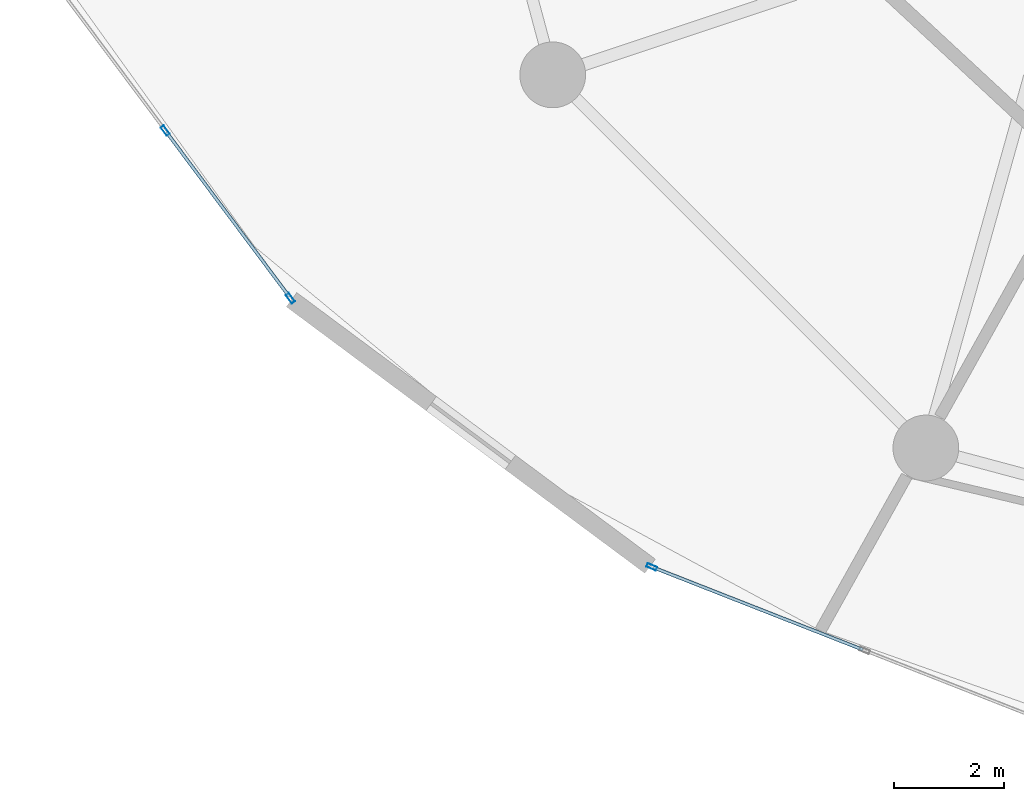
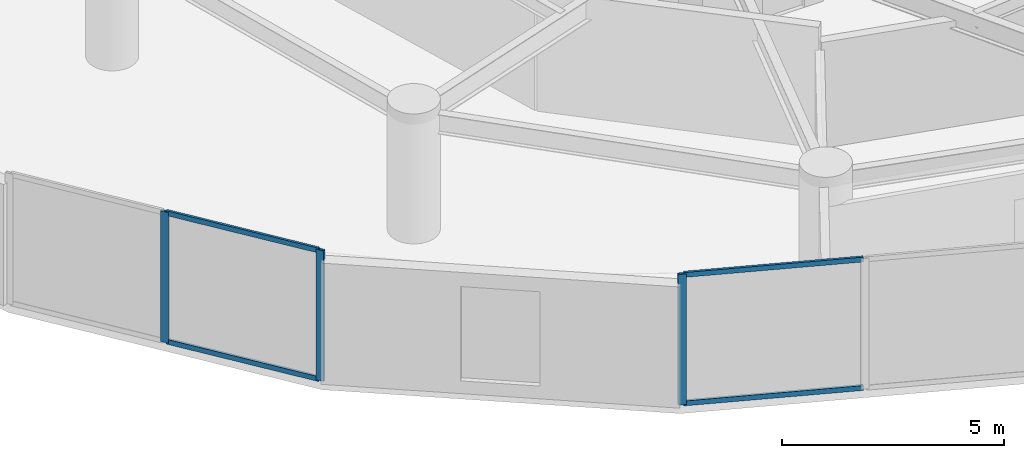
# One storey, part 2 of 25: 7 members, 2 elements without a shape of their own.
"""IFC4 building model written with IfcOpenShell, lengths in metres."""

import ifcopenshell
import ifcopenshell.guid

model = None  # the IFC model being written
_history = None  # IfcOwnerHistory: only IFC2X3 demands one
_inside = {}  # id of a spatial element -> (the spatial element, [elements in it])
_under = {}  # id of a project, library or spatial element -> (it, [spatial elements below it])
_declared = {}  # id of a project -> (the project, [libraries it declares])
_typed = {}  # id of a type object -> (the type object, [elements of that type])
_made_of = {}  # id of a material, layer set ... -> (it, [elements and type objects made of it])


def new_model(schema):
    """Start an empty IFC model of exactly this schema.

    Asked for "IFC4X3", IfcOpenShell would pick the latest addendum, in which some entities
    have other attributes; the version numbers below select the first issue.
    IFC2X3 requires an IfcOwnerHistory on every rooted entity: one is made here for all.
    """
    global model, _history
    if schema == "IFC4X3":
        model = ifcopenshell.file(schema_version=(4, 3, 0, 0))
    else:
        model = ifcopenshell.file(schema=schema)
    _inside.clear()
    _under.clear()
    _declared.clear()
    _typed.clear()
    _made_of.clear()
    _history = None
    if model.schema == "IFC2X3":
        org = make("IfcOrganization", Name="unknown")
        user = make(
            "IfcPersonAndOrganization",
            ThePerson=make("IfcPerson", FamilyName="unknown"),
            TheOrganization=org,
        )
        app = make(
            "IfcApplication",
            ApplicationDeveloper=org,
            Version="unknown",
            ApplicationFullName="unknown",
            ApplicationIdentifier="unknown",
        )
        _history = make(
            "IfcOwnerHistory",
            OwningUser=user,
            OwningApplication=app,
            ChangeAction="ADDED",
            CreationDate=0,
        )
    return model


def make(cls, **values):
    """One entity of the class cls with the attributes given. An attribute that is None is left unset."""
    return model.create_entity(
        cls, **{name: value for name, value in values.items() if value is not None}
    )


def rooted(cls, **values):
    """An entity with a GlobalId (a new one), such as an element, a storey or a relation."""
    return make(cls, GlobalId=ifcopenshell.guid.new(), OwnerHistory=_history, **values)


def si_unit(unit_type, name, prefix=None):
    """IfcSIUnit, for example si_unit("LENGTHUNIT", "METRE", prefix="MILLI")."""
    return make("IfcSIUnit", UnitType=unit_type, Prefix=prefix, Name=name)


def assignment(units):
    """IfcUnitAssignment: the units of a project."""
    return None if units is None else make("IfcUnitAssignment", Units=units)


def point(xyz):
    """IfcCartesianPoint."""
    return None if xyz is None else make("IfcCartesianPoint", Coordinates=xyz)


def direction(xyz):
    """IfcDirection."""
    return None if xyz is None else make("IfcDirection", DirectionRatios=xyz)


def frame(location, z_axis=None, x_axis=None):
    """IfcAxis2Placement3D, a coordinate frame: its origin and axes. An axis left out is left unset."""
    return make(
        "IfcAxis2Placement3D",
        Location=point(location),
        Axis=direction(z_axis),
        RefDirection=direction(x_axis),
    )


def frame_2d(location, x_axis=None):
    """IfcAxis2Placement2D, a coordinate frame in the plane: its origin and x axis."""
    return make(
        "IfcAxis2Placement2D", Location=point(location), RefDirection=direction(x_axis)
    )


def origin():
    """The frame at (0, 0, 0) with its axes left unset."""
    return frame((0.0, 0.0, 0.0))


def origin_2d():
    """The frame at (0, 0) in the plane with its x axis left unset."""
    return frame_2d((0.0, 0.0))


def place(relative_to, where):
    """IfcLocalPlacement: puts the frame where relative to a parent placement (None: the world)."""
    return make(
        "IfcLocalPlacement", PlacementRelTo=relative_to, RelativePlacement=where
    )


def context(
    kind, dimensions, precision=None, world=None, true_north=None, identifier=None
):
    """IfcGeometricRepresentationContext, for example the 3D "Model" context."""
    return make(
        "IfcGeometricRepresentationContext",
        ContextIdentifier=identifier,
        ContextType=kind,
        CoordinateSpaceDimension=dimensions,
        Precision=precision,
        WorldCoordinateSystem=world,
        TrueNorth=true_north,
    )


def subcontext(parent, identifier, kind, view, scale=None):
    """IfcGeometricRepresentationSubContext, for example "Body" below "Model"."""
    return make(
        "IfcGeometricRepresentationSubContext",
        ContextIdentifier=identifier,
        ContextType=kind,
        ParentContext=parent,
        TargetScale=scale,
        TargetView=view,
    )


def project(units=None, contexts=None):
    """IfcProject with its units and contexts."""
    return rooted(
        "IfcProject",
        Name="project",
        RepresentationContexts=contexts,
        UnitsInContext=assignment(units),
    )


def spatial(cls, under=None, at=None, **own):
    """A site, building, storey or space (cls), placed at a placement, below another one or the project."""
    s = rooted(cls, ObjectPlacement=at, **own)
    if under is not None:
        _under.setdefault(under.id(), (under, []))[1].append(s)
    return s


def profile(cls, at=None, kind="AREA", **sizes):
    """A parametric profile (cls). Its sizes go by their IFC names, for example OverallWidth=200.0."""
    return make(cls, ProfileType=kind, Position=at, **sizes)


def hollow_rectangle(**sizes):
    """IfcRectangleHollowProfileDef."""
    return profile("IfcRectangleHollowProfileDef", **sizes)


def extrude(swept, where, along, depth):
    """IfcExtrudedAreaSolid: the profile swept, set in the frame where, extruded along a direction by depth."""
    return make(
        "IfcExtrudedAreaSolid",
        SweptArea=swept,
        Position=where,
        ExtrudedDirection=direction(along),
        Depth=depth,
    )


def shape(context_of_items, identifier, shape_type, items):
    """IfcShapeRepresentation: the items that make up one representation, for example the "Body"."""
    return make(
        "IfcShapeRepresentation",
        ContextOfItems=context_of_items,
        RepresentationIdentifier=identifier,
        RepresentationType=shape_type,
        Items=items,
    )


def source(mapping_origin, context_of_items, identifier, shape_type, items):
    """IfcRepresentationMap: a shape defined once, which mapped items show again and again."""
    return make(
        "IfcRepresentationMap",
        MappingOrigin=mapping_origin,
        MappedRepresentation=shape(context_of_items, identifier, shape_type, items),
    )


def transform(
    local_origin,
    x_axis=None,
    y_axis=None,
    z_axis=None,
    scale=None,
    scale2=None,
    scale3=None,
    uniform=True,
):
    """IfcCartesianTransformationOperator3D, or its non-uniform kind. x_axis, y_axis, z_axis: its Axis1, 2, 3."""
    if uniform:
        return make(
            "IfcCartesianTransformationOperator3D",
            Axis1=direction(x_axis),
            Axis2=direction(y_axis),
            LocalOrigin=point(local_origin),
            Scale=scale,
            Axis3=direction(z_axis),
        )
    return make(
        "IfcCartesianTransformationOperator3DnonUniform",
        Axis1=direction(x_axis),
        Axis2=direction(y_axis),
        LocalOrigin=point(local_origin),
        Scale=scale,
        Axis3=direction(z_axis),
        Scale2=scale2,
        Scale3=scale3,
    )


def mapped(mapping_source, mapping_target):
    """IfcMappedItem: shows the shape of a source again, moved by a transform."""
    return make(
        "IfcMappedItem", MappingSource=mapping_source, MappingTarget=mapping_target
    )


def material(Name=None, Category=None):
    """IfcMaterial."""
    return make("IfcMaterial", Name=Name, Category=Category)


def layer(
    of_material, thickness, ventilated=None, Name=None, Category=None, Priority=None
):
    """IfcMaterialLayer: one layer of a wall or slab, of a material (None: an air gap)."""
    return make(
        "IfcMaterialLayer",
        Material=of_material,
        LayerThickness=thickness,
        IsVentilated=ventilated,
        Name=Name,
        Category=Category,
        Priority=Priority,
    )


def layer_set(layers, Name=None):
    """IfcMaterialLayerSet."""
    return make("IfcMaterialLayerSet", MaterialLayers=layers, LayerSetName=Name)


def material_profile(
    of_material, cross_section, Name=None, Category=None, Priority=None
):
    """IfcMaterialProfile: a cross section and its material."""
    return make(
        "IfcMaterialProfile",
        Name=Name,
        Material=of_material,
        Profile=cross_section,
        Priority=Priority,
        Category=Category,
    )


def profile_set(profiles, Name=None, composite=None):
    """IfcMaterialProfileSet."""
    return make(
        "IfcMaterialProfileSet",
        Name=Name,
        MaterialProfiles=profiles,
        CompositeProfile=composite,
    )


def made_of(thing, what):
    """Note that an element or type object is made of a material, layer set ...; save() writes the relation."""
    if what is not None:
        _made_of.setdefault(what.id(), (what, []))[1].append(thing)
    return thing


def type_object(cls, material=None, **own):
    """A type object (cls), such as IfcWallType, which elements share."""
    return made_of(rooted(cls, **own), material)


def element(
    cls,
    number,
    at=None,
    inside=None,
    cuts=None,
    type_object=None,
    material=None,
    context=None,
    identifier="Body",
    shape_type=None,
    held_by="IfcProductDefinitionShape",
    body=None,
    shapes=None,
    **own,
):
    """One element of the class cls, such as IfcWall. Its Tag is "e" and its number.

    at: its placement. inside: the storey or other place that contains it. cuts: it is an
    opening in that element (IfcRelVoidsElement). A single representation is given by context,
    identifier, shape_type and body (its items); several are given by shapes. held_by: the class
    of the entity that holds the representations. save() writes the other relations.
    """
    e = rooted(cls, Tag="e%d" % number, ObjectPlacement=at, **own)
    if body is not None:
        shapes = [shape(context, identifier, shape_type, body)]
    if shapes is not None:
        e.Representation = make(held_by, Representations=shapes)
    if inside is not None:
        _inside.setdefault(inside.id(), (inside, []))[1].append(e)
    if cuts is not None:
        rooted(
            "IfcRelVoidsElement", RelatingBuildingElement=cuts, RelatedOpeningElement=e
        )
    if type_object is not None:
        _typed.setdefault(type_object.id(), (type_object, []))[1].append(e)
    return made_of(e, material)


def aggregate(whole, parts):
    """IfcRelAggregates: a whole, such as a stair, and the parts it consists of."""
    return rooted("IfcRelAggregates", RelatingObject=whole, RelatedObjects=parts)


def save(model, path):
    """Write the relations noted so far, then the file.

    IfcRelAggregates (storeys below a building ...), IfcRelContainedInSpatialStructure (elements
    in a storey), IfcRelDefinesByType, IfcRelAssociatesMaterial and IfcRelDeclares: one each for
    every whole, place, type object, material and project.
    """
    for whole, parts in _under.values():
        aggregate(whole, parts)
    for where, things in _inside.values():
        rooted(
            "IfcRelContainedInSpatialStructure",
            RelatedElements=things,
            RelatingStructure=where,
        )
    for kind, things in _typed.values():
        rooted("IfcRelDefinesByType", RelatedObjects=things, RelatingType=kind)
    for what, things in _made_of.values():
        rooted("IfcRelAssociatesMaterial", RelatedObjects=things, RelatingMaterial=what)
    for by, libraries in _declared.values():
        rooted("IfcRelDeclares", RelatingContext=by, RelatedDefinitions=libraries)
    model.write(path)


model = new_model("IFC4")

# Units and contexts
model_context = context("Model", 3, precision=1e-05, world=origin(), true_north=direction((0.0, 1.0)))
body_context = subcontext(model_context, "Body", "Model", "MODEL_VIEW")
ifc_project = project(units=[si_unit("LENGTHUNIT", "METRE"), si_unit("AREAUNIT", "SQUARE_METRE"), si_unit("VOLUMEUNIT", "CUBIC_METRE"), si_unit("PLANEANGLEUNIT", "RADIAN"), si_unit("MASSUNIT", "GRAM", prefix="KILO")], contexts=[model_context])

# Site, building, storey
site_placement = place(None, origin())
site = spatial("IfcSite", under=ifc_project, at=site_placement, CompositionType="ELEMENT")
building_placement = place(site_placement, origin())
building = spatial("IfcBuilding", under=site, at=building_placement, Name="Solvirekh Grand Hotel", CompositionType="ELEMENT")
storey_placement = place(building_placement, frame((0.0, 0.0, 57.199951171875)))
storey = spatial("IfcBuildingStorey", under=building, at=storey_placement, Name="L13", CompositionType="ELEMENT", Elevation=57.199951171875)

# Curtain wall, members
ifc_material = material(Name="Anodized Bronze Aluminium 6063-T6", Category="aluminium")
ifc_layer = layer(ifc_material, 0.18994140625)
ifc_layer_set = layer_set([ifc_layer], Name="Anodized Bronze Aluminium 6063-T6")
curtain_wall_type = type_object("IfcCurtainWallType", Name="CW_Sys2_LowZoneFlushBronzeCW", PredefinedType="NOTDEFINED", material=ifc_layer_set)
curtain_wall_1_placement = place(storey_placement, origin())
curtain_wall_1 = element("IfcCurtainWall", 1, at=curtain_wall_1_placement, inside=storey, type_object=curtain_wall_type, Name="L13 unitised bronze-glass curtain wall CW-L13-C13", PredefinedType="NOTDEFINED")
ifc_material_profile_1 = material_profile(ifc_material, hollow_rectangle(XDim=0.070068359375, YDim=0.18994140625, WallThickness=0.0048828125, at=origin_2d()), Name="ALU RHS 190X70X5")
ifc_profile_set_1 = profile_set([ifc_material_profile_1], Name="Anodized Bronze Aluminium 6063-T6")
member_type_1 = type_object("IfcMemberType", Name="CWMullion_Sys2", PredefinedType="MULLION", material=ifc_profile_set_1)
shared_shape_1 = source(origin(), body_context, "Body", "SweptSolid", [
    extrude(hollow_rectangle(XDim=0.070068359375, YDim=0.18994140625, WallThickness=0.0048828125, at=origin_2d()), origin(), (0.0, 0.0, 1.0), 3.60009765625),
])
member_1_placement = place(storey_placement, frame((-23.177978515625, -10.31591796875, 0.0), z_axis=(0.0, 0.0, 1.0), x_axis=(0.801275244667, 0.598295898601, 0.0)))
member_1 = element("IfcMember", 2, at=member_1_placement, type_object=member_type_1, Name="U02 mullion 2", PredefinedType="MULLION", context=body_context, shape_type="MappedRepresentation", body=[
    mapped(shared_shape_1, transform((0.0, 0.0, 0.0), x_axis=(1.0, 0.0, 0.0), y_axis=(0.0, 1.0, 0.0), z_axis=(0.0, 0.0, 1.0), scale=1.0)),
])
member_2_placement = place(storey_placement, frame((-20.89404296875, -13.375, 0.0), z_axis=(0.0, 0.0, 1.0), x_axis=(0.801275244667, 0.598295898601, 0.0)))
member_2 = element("IfcMember", 3, at=member_2_placement, type_object=member_type_1, Name="U02 mullion 3", PredefinedType="MULLION", context=body_context, shape_type="MappedRepresentation", body=[
    mapped(shared_shape_1, transform((0.0, 0.0, 0.0), x_axis=(1.0, 0.0, 0.0), y_axis=(0.0, 1.0, 0.0), z_axis=(0.0, 0.0, 1.0), scale=1.0)),
])

# Curtain wall, member
curtain_wall_2_placement = place(storey_placement, origin())
curtain_wall_2 = element("IfcCurtainWall", 4, at=curtain_wall_2_placement, inside=storey, type_object=curtain_wall_type, Name="L13 unitised bronze-glass curtain wall CW-L13-C15", PredefinedType="NOTDEFINED")
member_3_placement = place(storey_placement, frame((-14.300537109375, -18.27783203125, 0.0), z_axis=(0.0, 0.0, 1.0), x_axis=(0.365398599776, 0.930851149906, 0.0)))
member_3 = element("IfcMember", 5, at=member_3_placement, type_object=member_type_1, Name="U02 mullion 1", PredefinedType="MULLION", context=body_context, shape_type="MappedRepresentation", body=[
    mapped(shared_shape_1, transform((0.0, 0.0, 0.0), x_axis=(1.0, 0.0, 0.0), y_axis=(0.0, 1.0, 0.0), z_axis=(0.0, 0.0, 1.0), scale=1.0)),
])

# Member
ifc_material_profile_2 = material_profile(ifc_material, hollow_rectangle(XDim=0.06005859375, YDim=0.135009765625, WallThickness=0.00390625, at=origin_2d()), Name="ALU RHS 135X60X4")
ifc_profile_set_2 = profile_set([ifc_material_profile_2], Name="Anodized Bronze Aluminium 6063-T6")
member_type_2 = type_object("IfcMemberType", Name="CWTransom_Sys2", PredefinedType="USERDEFINED", material=ifc_profile_set_2)
shared_shape_2 = source(origin(), body_context, "Body", "SweptSolid", [
    extrude(hollow_rectangle(XDim=0.06005859375, YDim=0.135009765625, WallThickness=0.00390625, at=origin_2d()), origin(), (0.0, 0.0, 1.0), 3.74755859375),
])
member_4_placement = place(storey_placement, frame((-23.156982421875, -10.343994140625, 0.030029296875), z_axis=(0.598289232485, -0.801280222078, 0.0), x_axis=(0.801280222078, 0.598289232485, 0.0)))
member_4 = element("IfcMember", 6, at=member_4_placement, type_object=member_type_2, Name="U02 transom 2.1", ObjectType="TRANSOM", PredefinedType="USERDEFINED", context=body_context, shape_type="MappedRepresentation", body=[
    mapped(shared_shape_2, transform((0.0, 0.0, 0.0), x_axis=(1.0, 0.0, 0.0), y_axis=(0.0, 1.0, 0.0), z_axis=(0.0, 0.0, 1.0), scale=1.0)),
])

member_5_placement = place(storey_placement, frame((-23.156982421875, -10.343994140625, 3.570068359375), z_axis=(0.598289232485, -0.801280222078, 0.0), x_axis=(0.801280222078, 0.598289232485, 0.0)))
member_5 = element("IfcMember", 7, at=member_5_placement, type_object=member_type_2, Name="U02 transom 2.2", ObjectType="TRANSOM", PredefinedType="USERDEFINED", context=body_context, shape_type="MappedRepresentation", body=[
    mapped(shared_shape_2, transform((0.0, 0.0, 0.0), x_axis=(1.0, 0.0, 0.0), y_axis=(0.0, 1.0, 0.0), z_axis=(0.0, 0.0, 1.0), scale=1.0)),
])

aggregate(curtain_wall_1, [member_1, member_2, member_4, member_5])

shared_shape_3 = source(origin(), body_context, "Body", "SweptSolid", [
    extrude(hollow_rectangle(XDim=0.06005859375, YDim=0.135009765625, WallThickness=0.00390625, at=origin_2d()), origin(), (0.0, 0.0, 1.0), 4.101318359375),
])
member_6_placement = place(storey_placement, frame((-14.267822265625, -18.29052734375, 0.030029296875), z_axis=(0.930834676572, -0.365440562734, 0.0), x_axis=(0.365440562734, 0.930834676572, 0.0)))
member_6 = element("IfcMember", 8, at=member_6_placement, type_object=member_type_2, Name="U02 transom 1.1", ObjectType="TRANSOM", PredefinedType="USERDEFINED", context=body_context, shape_type="MappedRepresentation", body=[
    mapped(shared_shape_3, transform((0.0, 0.0, 0.0), x_axis=(1.0, 0.0, 0.0), y_axis=(0.0, 1.0, 0.0), z_axis=(0.0, 0.0, 1.0), scale=1.0)),
])

member_7_placement = place(storey_placement, frame((-14.267822265625, -18.29052734375, 3.570068359375), z_axis=(0.930834676572, -0.365440562734, 0.0), x_axis=(0.365440562734, 0.930834676572, 0.0)))
member_7 = element("IfcMember", 9, at=member_7_placement, type_object=member_type_2, Name="U02 transom 1.2", ObjectType="TRANSOM", PredefinedType="USERDEFINED", context=body_context, shape_type="MappedRepresentation", body=[
    mapped(shared_shape_3, transform((0.0, 0.0, 0.0), x_axis=(1.0, 0.0, 0.0), y_axis=(0.0, 1.0, 0.0), z_axis=(0.0, 0.0, 1.0), scale=1.0)),
])

aggregate(curtain_wall_2, [member_3, member_6, member_7])

save(model, "model.ifc")
